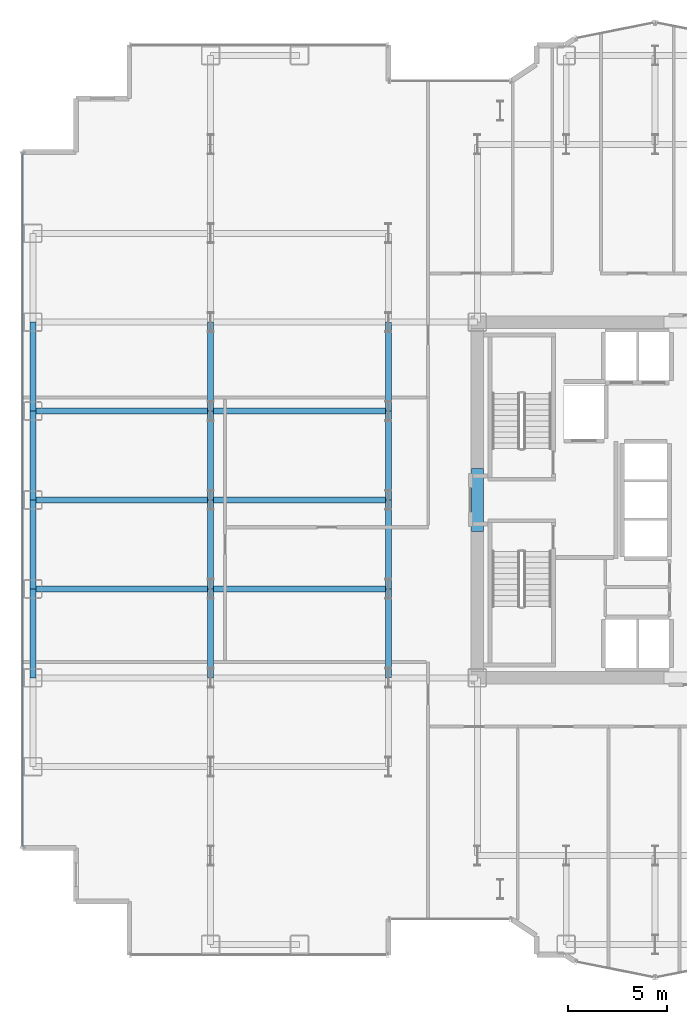
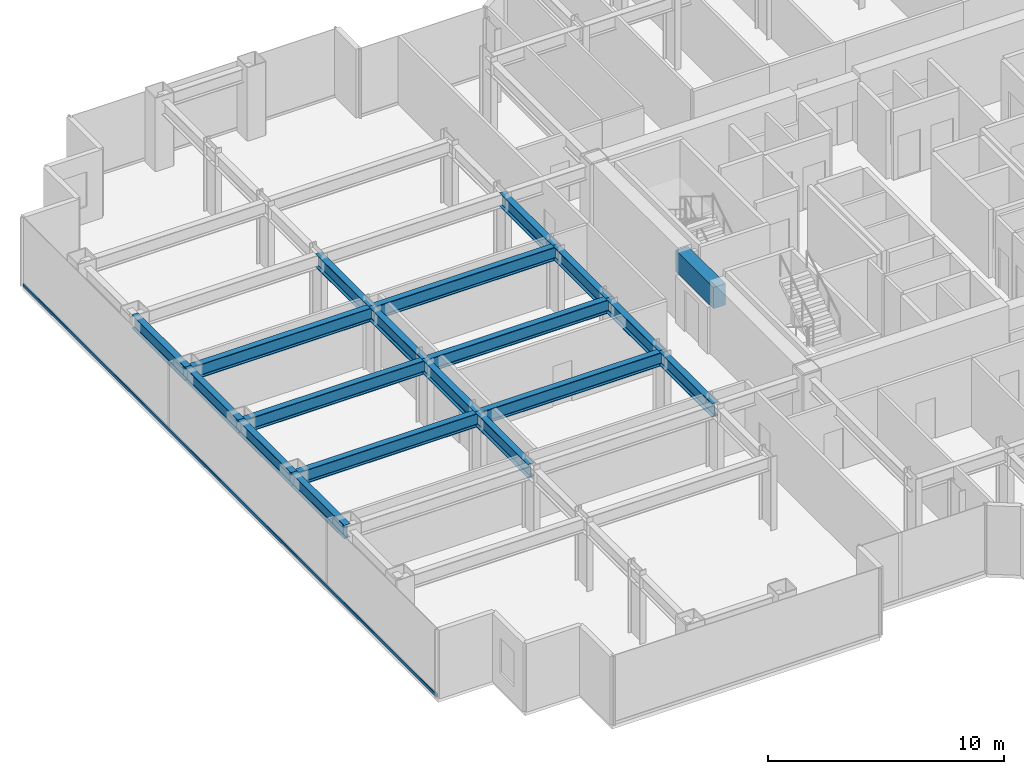
# One storey, part 5 of 26: 19 beams, 1 member, 1 element without a shape of its own.
"""IFC4 building model written with IfcOpenShell, lengths in metres."""

from ifc_helpers import new_model, si_unit, direction, frame, origin, origin_2d, place, context, subcontext, project, spatial, rectangle, hollow_rectangle, i_section, extrude, source, transform, mapped, material, layer, layer_set, material_profile, profile_set, type_object, element, aggregate, save


model = new_model("IFC4")

# Units and contexts
model_context = context("Model", 3, precision=1e-05, world=origin(), true_north=direction((0.0, 1.0)))
body_context = subcontext(model_context, "Body", "Model", "MODEL_VIEW")
ifc_project = project(units=[si_unit("LENGTHUNIT", "METRE"), si_unit("AREAUNIT", "SQUARE_METRE"), si_unit("VOLUMEUNIT", "CUBIC_METRE"), si_unit("PLANEANGLEUNIT", "RADIAN"), si_unit("MASSUNIT", "GRAM", prefix="KILO")], contexts=[model_context])

# Site, building, storey
site_placement = place(None, origin())
site = spatial("IfcSite", under=ifc_project, at=site_placement, CompositionType="ELEMENT")
building_placement = place(site_placement, origin())
building = spatial("IfcBuilding", under=site, at=building_placement, Name="Nefas-Gora Pilgrimage Tower", CompositionType="ELEMENT")
storey_placement = place(building_placement, frame((0.0, 0.0, 40.60009765625)))
storey = spatial("IfcBuildingStorey", under=building, at=storey_placement, Name="L08", CompositionType="ELEMENT", Elevation=40.60009765625)

# Beams
ifc_material_1 = material(Name="Concrete C60/75", Category="concrete")
ifc_material_profile_1 = material_profile(ifc_material_1, rectangle(XDim=0.60009765625, YDim=1.10009765625, at=origin_2d()), Name="RC 600x1100")
ifc_profile_set_1 = profile_set([ifc_material_profile_1], Name="Concrete C60/75")
beam_type_1 = type_object("IfcBeamType", Name="BM-LIN-RC1100", PredefinedType="LINTEL", material=ifc_profile_set_1)
shared_shape_1 = source(origin(), body_context, "Body", "SweptSolid", [
    extrude(rectangle(XDim=0.60009765625, YDim=1.10009765625, at=origin_2d()), origin(), (0.0, 0.0, 1.0), 3.2001953125),
])
beam_placement = place(storey_placement, frame((-11.25, -1.60009765625, 3.0), z_axis=(0.0, 1.0, 0.0), x_axis=(-1.0, 0.0, 0.0)))
element("IfcBeam", 1, at=beam_placement, inside=storey, type_object=beam_type_1, Name="L08 Core Coupling Lintel Beam W", PredefinedType="LINTEL", context=body_context, shape_type="MappedRepresentation", body=[
    mapped(shared_shape_1, transform((0.0, 0.0, 0.0), x_axis=(1.0, 0.0, 0.0), y_axis=(0.0, 1.0, 0.0), z_axis=(0.0, 0.0, 1.0), scale=1.0)),
])
ifc_material_2 = material(Name="Steel S355", Category="steel")
ifc_material_profile_2 = material_profile(ifc_material_2, i_section(OverallWidth=0.300048828125, OverallDepth=0.699951171875, WebThickness=0.01708984375, FlangeThickness=0.031982421875, FilletRadius=0.027099609375, at=origin_2d()), Name="HEB 700")
ifc_profile_set_2 = profile_set([ifc_material_profile_2], Name="Steel S355")
beam_type_2 = type_object("IfcBeamType", Name="BM-SPN-HEB600", PredefinedType="SPANDREL", material=ifc_profile_set_2)
shared_shape_2 = source(origin(), body_context, "Body", "SweptSolid", [
    extrude(i_section(OverallWidth=0.300048828125, OverallDepth=0.699951171875, WebThickness=0.01708984375, FlangeThickness=0.031982421875, FilletRadius=0.027099609375, at=origin_2d()), origin(), (0.0, 0.0, 1.0), 4.5),
])
for number, where, z_axis, x_axis, name in (
    (2, (-33.75, -9.0, 3.199951171875), (0.0, 1.0, 0.0), (-1.0, 0.0, 0.0), "L08 SP-01 beam"),
    (3, (-33.75, -4.5, 3.199951171875), (0.0, 1.0, 0.0), (-1.0, 0.0, 0.0), "L08 SP-01 beam"),
    (4, (-33.75, 0.0, 3.199951171875), (0.0, 1.0, 0.0), (-1.0, 0.0, 0.0), "L08 SP-01 beam"),
    (5, (-33.75, 4.5, 3.199951171875), (0.0, 1.0, 0.0), (-1.0, 0.0, 0.0), "L08 SP-01 beam"),
):
    element("IfcBeam", number, at=place(storey_placement, frame(where, z_axis=z_axis, x_axis=x_axis)), inside=storey, type_object=beam_type_2, Name=name, PredefinedType="SPANDREL", context=body_context, shape_type="MappedRepresentation", body=[
        mapped(shared_shape_2, transform((0.0, 0.0, 0.0), x_axis=(1.0, 0.0, 0.0), y_axis=(0.0, 1.0, 0.0), z_axis=(0.0, 0.0, 1.0), scale=1.0)),
    ])
ifc_material_profile_3 = material_profile(ifc_material_2, i_section(OverallWidth=0.300048828125, OverallDepth=0.699951171875, WebThickness=0.01708984375, FlangeThickness=0.031982421875, FilletRadius=0.027099609375, at=origin_2d()), Name="HEB 700")
ifc_profile_set_3 = profile_set([ifc_material_profile_3], Name="Steel S355")
beam_type_3 = type_object("IfcBeamType", Name="BM-GIR-HEB700", PredefinedType="BEAM", material=ifc_profile_set_3)
shared_shape_3 = source(origin(), body_context, "Body", "SweptSolid", [
    extrude(i_section(OverallWidth=0.300048828125, OverallDepth=0.699951171875, WebThickness=0.01708984375, FlangeThickness=0.031982421875, FilletRadius=0.027099609375, at=origin_2d()), origin(), (0.0, 0.0, 1.0), 9.0),
])
for number, where, z_axis, x_axis, name in (
    (6, (-33.75, -4.5, 3.199951171875), (1.0, 0.0, 0.0), (0.0, 1.0, 0.0), "L08 G-02 beam"),
    (7, (-33.75, 0.0, 3.199951171875), (1.0, 0.0, 0.0), (0.0, 1.0, 0.0), "L08 G-02 beam"),
    (8, (-33.75, 4.5, 3.199951171875), (1.0, 0.0, 0.0), (0.0, 1.0, 0.0), "L08 G-02 beam"),
    (9, (-24.75, -4.5, 3.199951171875), (1.0, 0.0, 0.0), (0.0, 1.0, 0.0), "L08 G-02 beam"),
    (10, (-24.75, 0.0, 3.199951171875), (1.0, 0.0, 0.0), (0.0, 1.0, 0.0), "L08 G-02 beam"),
    (11, (-24.75, 4.5, 3.199951171875), (1.0, 0.0, 0.0), (0.0, 1.0, 0.0), "L08 G-02 beam"),
):
    element("IfcBeam", number, at=place(storey_placement, frame(where, z_axis=z_axis, x_axis=x_axis)), inside=storey, type_object=beam_type_3, Name=name, PredefinedType="BEAM", context=body_context, shape_type="MappedRepresentation", body=[
        mapped(shared_shape_3, transform((0.0, 0.0, 0.0), x_axis=(1.0, 0.0, 0.0), y_axis=(0.0, 1.0, 0.0), z_axis=(0.0, 0.0, 1.0), scale=1.0)),
    ])
shared_shape_4 = source(origin(), body_context, "Body", "SweptSolid", [
    extrude(i_section(OverallWidth=0.300048828125, OverallDepth=0.699951171875, WebThickness=0.01708984375, FlangeThickness=0.031982421875, FilletRadius=0.027099609375, at=origin_2d()), origin(), (0.0, 0.0, 1.0), 4.5),
])
for number, where, z_axis, x_axis, name in (
    (12, (-24.75, -9.0, 3.199951171875), (0.0, 1.0, 0.0), (-1.0, 0.0, 0.0), "L08 G-02 beam"),
    (13, (-24.75, -4.5, 3.199951171875), (0.0, 1.0, 0.0), (-1.0, 0.0, 0.0), "L08 G-02 beam"),
    (14, (-24.75, 0.0, 3.199951171875), (0.0, 1.0, 0.0), (-1.0, 0.0, 0.0), "L08 G-02 beam"),
    (15, (-24.75, 4.5, 3.199951171875), (0.0, 1.0, 0.0), (-1.0, 0.0, 0.0), "L08 G-02 beam"),
    (16, (-15.75, -9.0, 3.199951171875), (0.0, 1.0, 0.0), (-1.0, 0.0, 0.0), "L08 G-02 beam"),
    (17, (-15.75, -4.5, 3.199951171875), (0.0, 1.0, 0.0), (-1.0, 0.0, 0.0), "L08 G-02 beam"),
    (18, (-15.75, 0.0, 3.199951171875), (0.0, 1.0, 0.0), (-1.0, 0.0, 0.0), "L08 G-02 beam"),
    (19, (-15.75, 4.5, 3.199951171875), (0.0, 1.0, 0.0), (-1.0, 0.0, 0.0), "L08 G-02 beam"),
):
    element("IfcBeam", number, at=place(storey_placement, frame(where, z_axis=z_axis, x_axis=x_axis)), inside=storey, type_object=beam_type_3, Name=name, PredefinedType="BEAM", context=body_context, shape_type="MappedRepresentation", body=[
        mapped(shared_shape_4, transform((0.0, 0.0, 0.0), x_axis=(1.0, 0.0, 0.0), y_axis=(0.0, 1.0, 0.0), z_axis=(0.0, 0.0, 1.0), scale=1.0)),
    ])

# Curtain wall, member
ifc_material_3 = material(Name="Dark ceramic-fritted solar-control aluminium-glass curtain wall", Category="aluminium")
ifc_layer = layer(ifc_material_3, 0.219970703125)
ifc_layer_set = layer_set([ifc_layer], Name="Dark ceramic-fritted solar-control aluminium-glass curtain wall")
curtain_wall_type = type_object("IfcCurtainWallType", Name="CW-SYS-2", PredefinedType="NOTDEFINED", material=ifc_layer_set)
curtain_wall_placement = place(storey_placement, origin())
curtain_wall = element("IfcCurtainWall", 20, at=curtain_wall_placement, inside=storey, type_object=curtain_wall_type, Name="L08 Unitised Curtain Wall CW2", PredefinedType="NOTDEFINED")
ifc_material_4 = material(Name="Anodised architectural aluminium", Category="aluminium")
ifc_material_profile_4 = material_profile(ifc_material_4, hollow_rectangle(XDim=0.080078125, YDim=0.159912109375, WallThickness=0.00439453125, InnerFilletRadius=0.00439453125, OuterFilletRadius=0.009033203125, at=origin_2d()), Name="ALU TRANSOM 80x160")
ifc_profile_set_4 = profile_set([ifc_material_profile_4], Name="Anodised architectural aluminium")
member_type = type_object("IfcMemberType", Name="CWM-TRN-2", PredefinedType="USERDEFINED", material=ifc_profile_set_4)
shared_shape_5 = source(origin(), body_context, "Body", "SweptSolid", [
    extrude(hollow_rectangle(XDim=0.080078125, YDim=0.159912109375, WallThickness=0.00439453125, InnerFilletRadius=0.00439453125, OuterFilletRadius=0.009033203125, at=origin_2d()), origin(), (0.0, 0.0, 1.0), 35.06005859375),
])
member_placement = place(storey_placement, frame((-34.27001953125, 17.530029296875, 0.0498046875), z_axis=(0.0, -1.0, 0.0), x_axis=(1.0, 0.0, 0.0)))
member = element("IfcMember", 21, at=member_placement, type_object=member_type, Name="CW2 Spandrel Transom", ObjectType="TRANSOM", PredefinedType="USERDEFINED", context=body_context, shape_type="MappedRepresentation", body=[
    mapped(shared_shape_5, transform((0.0, 0.0, 0.0), x_axis=(1.0, 0.0, 0.0), y_axis=(0.0, 1.0, 0.0), z_axis=(0.0, 0.0, 1.0), scale=1.0)),
])
aggregate(curtain_wall, [member])

save(model, "model.ifc")
